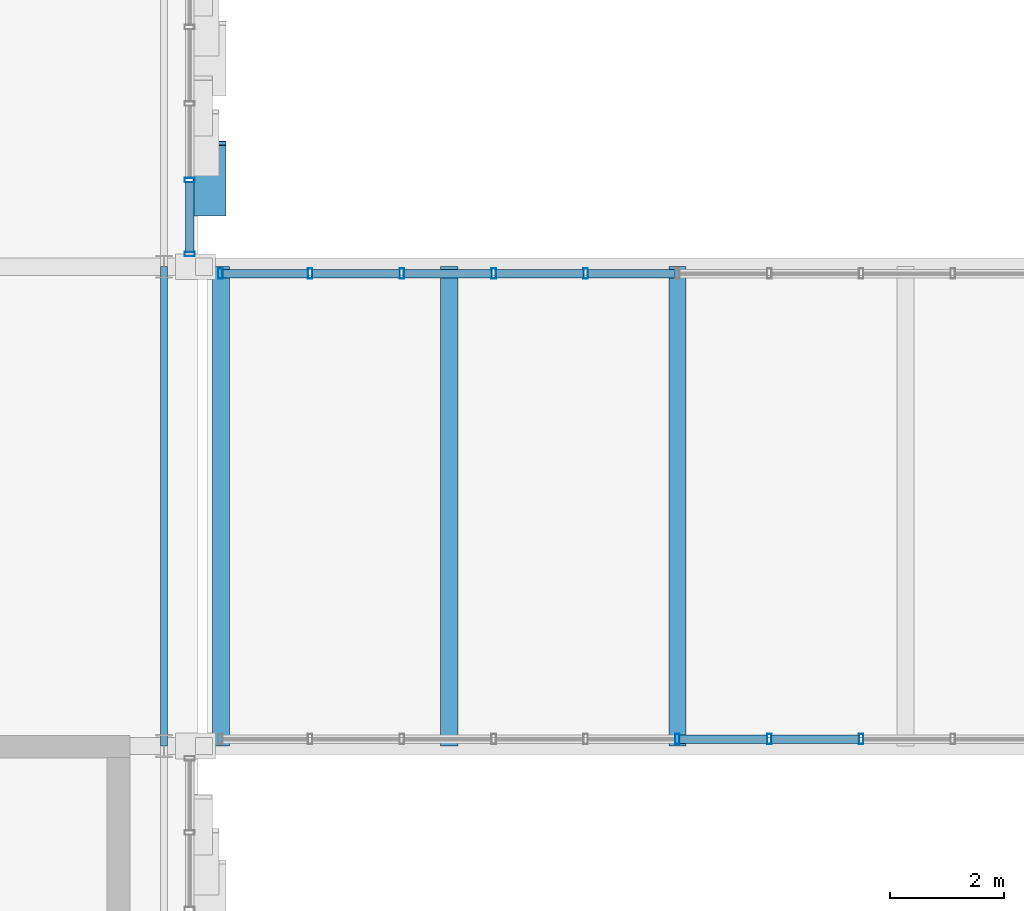
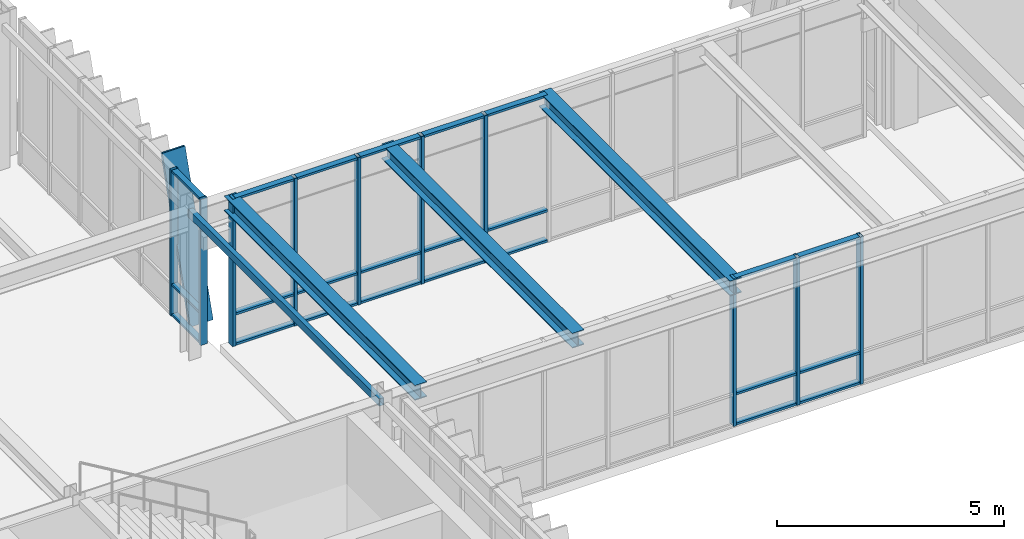
# One storey, part 56 of 127: 35 members, 4 beams, 3 elements without a shape of their own.
"""IFC4 building model written with IfcOpenShell, lengths in metres."""

from ifc_helpers import new_model, si_unit, direction, frame, origin, origin_2d, place, context, subcontext, project, spatial, hollow_rectangle, i_section, extrude, material, layer, layer_set, material_profile, profile_set, type_object, element, aggregate, save


model = new_model("IFC4")

# Units and contexts
model_context = context("Model", 3, precision=1e-05, world=origin(), true_north=direction((0.0, 1.0)))
body_context = subcontext(model_context, "Body", "Model", "MODEL_VIEW")
ifc_project = project(units=[si_unit("LENGTHUNIT", "METRE"), si_unit("AREAUNIT", "SQUARE_METRE"), si_unit("VOLUMEUNIT", "CUBIC_METRE"), si_unit("PLANEANGLEUNIT", "RADIAN"), si_unit("MASSUNIT", "GRAM", prefix="KILO")], contexts=[model_context])

# Site, building, storey
site_placement = place(None, origin())
site = spatial("IfcSite", under=ifc_project, at=site_placement, CompositionType="ELEMENT")
building_placement = place(site_placement, origin())
building = spatial("IfcBuilding", under=site, at=building_placement, Name="Zayran Congress Hotel", CompositionType="ELEMENT")
storey_placement = place(building_placement, frame((0.0, 0.0, 10.800048828125)))
storey = spatial("IfcBuildingStorey", under=building, at=storey_placement, Name="L02", CompositionType="ELEMENT", Elevation=10.800048828125)

# Beams
ifc_material_1 = material(Name="Steel S355", Category="steel")
ifc_material_profile_1 = material_profile(ifc_material_1, i_section(OverallWidth=0.300048828125, OverallDepth=0.39990234375, WebThickness=0.013427734375, FlangeThickness=0.02392578125, at=origin_2d()), Name="HEB 400")
ifc_profile_set_1 = profile_set([ifc_material_profile_1], Name="Steel S355")
beam_type_1 = type_object("IfcBeamType", Name="TP-BM-10", PredefinedType="BEAM", material=ifc_profile_set_1)
for number, where, z_axis, x_axis, name in (
    (1, (92.800048828125, 76.0, 3.760009765625), (0.0, 1.0, 0.0), (-1.0, 0.0, 0.0), "BM-BR1C-L02-2417"),
    (2, (96.800048828125, 76.0, 3.760009765625), (0.0, 1.0, 0.0), (-1.0, 0.0, 0.0), "BM-BR1C-L02-2418"),
    (3, (100.800048828125, 76.0, 3.760009765625), (0.0, 1.0, 0.0), (-1.0, 0.0, 0.0), "BM-BR1C-L02-2419"),
):
    element("IfcBeam", number, at=place(storey_placement, frame(where, z_axis=z_axis, x_axis=x_axis)), inside=storey, type_object=beam_type_1, Name=name, PredefinedType="BEAM", context=body_context, shape_type="SweptSolid", body=[
        extrude(i_section(OverallWidth=0.300048828125, OverallDepth=0.39990234375, WebThickness=0.013427734375, FlangeThickness=0.02392578125, at=origin_2d()), origin(), (0.0, 0.0, 1.0), 8.39990234375),
    ])
ifc_material_profile_2 = material_profile(ifc_material_1, hollow_rectangle(XDim=0.1201171875, YDim=0.199951171875, WallThickness=0.008056640625, at=origin_2d()), Name="RHS 200x120x8")
ifc_profile_set_2 = profile_set([ifc_material_profile_2], Name="Steel S355")
beam_type_2 = type_object("IfcBeamType", Name="TP-SP-02", PredefinedType="SPANDREL", material=ifc_profile_set_2)
beam_placement = place(storey_placement, frame((91.800048828125, 76.0, 3.820068359375), z_axis=(0.0, 1.0, 0.0), x_axis=(-1.0, 0.0, 0.0)))
element("IfcBeam", 4, at=beam_placement, inside=storey, type_object=beam_type_2, Name="BM-V1-L02-0752", PredefinedType="SPANDREL", context=body_context, shape_type="SweptSolid", body=[
    extrude(hollow_rectangle(XDim=0.1201171875, YDim=0.199951171875, WallThickness=0.008056640625, at=origin_2d()), origin(), (0.0, 0.0, 1.0), 8.39990234375),
])

# Curtain wall, members
ifc_material_2 = material(Name="Anodised aluminium and low-E insulated glass", Category="aluminium")
ifc_layer_1 = layer(ifc_material_2, 0.179931640625)
ifc_layer_set_1 = layer_set([ifc_layer_1], Name="Anodised aluminium and low-E insulated glass")
curtain_wall_type_1 = type_object("IfcCurtainWallType", Name="CW-V1E-L02-CW-41-8040-3920", PredefinedType="USERDEFINED", material=ifc_layer_set_1)
curtain_wall_1_placement = place(storey_placement, origin())
curtain_wall_1 = element("IfcCurtainWall", 5, at=curtain_wall_1_placement, inside=storey, type_object=curtain_wall_type_1, Name="CW-V1E-L02-2", ObjectType="CURTAIN WALL", PredefinedType="USERDEFINED")
ifc_material_3 = material(Name="Anodised aluminium framing", Category="aluminium")
ifc_material_profile_3 = material_profile(ifc_material_3, hollow_rectangle(XDim=0.080078125, YDim=0.179931640625, WallThickness=0.0048828125, at=origin_2d()), Name="RHS 180x80x5")
ifc_profile_set_3 = profile_set([ifc_material_profile_3], Name="Anodised aluminium framing")
member_type_1 = type_object("IfcMemberType", Name="TP-CWM-01", PredefinedType="MULLION", material=ifc_profile_set_3)
member_1_placement = place(storey_placement, frame((92.25, 84.6201171875, 0.0), z_axis=(0.0, 0.0, 1.0), x_axis=(0.0, 1.0, 0.0)))
member_1 = element("IfcMember", 6, at=member_1_placement, type_object=member_type_1, Name="CW-V1E-L02-2-M00", PredefinedType="MULLION", context=body_context, shape_type="SweptSolid", body=[
    extrude(hollow_rectangle(XDim=0.080078125, YDim=0.179931640625, WallThickness=0.0048828125, at=origin_2d()), origin(), (0.0, 0.0, 1.0), 3.919921875),
])
member_2_placement = place(storey_placement, frame((92.25, 85.919921875, 0.0), z_axis=(0.0, 0.0, 1.0), x_axis=(0.0, 1.0, 0.0)))
member_2 = element("IfcMember", 7, at=member_2_placement, type_object=member_type_1, Name="CW-V1E-L02-2-M01", PredefinedType="MULLION", context=body_context, shape_type="SweptSolid", body=[
    extrude(hollow_rectangle(XDim=0.080078125, YDim=0.179931640625, WallThickness=0.0048828125, at=origin_2d()), origin(), (0.0, 0.0, 1.0), 3.919921875),
])

ifc_layer_2 = layer(ifc_material_2, 0.179931640625)
ifc_layer_set_2 = layer_set([ifc_layer_2], Name="Anodised aluminium and low-E insulated glass")
curtain_wall_type_2 = type_object("IfcCurtainWallType", Name="CW-BR1-L02-CW-BR1-16100-3960", PredefinedType="USERDEFINED", material=ifc_layer_set_2)
curtain_wall_2_placement = place(storey_placement, origin())
curtain_wall_2 = element("IfcCurtainWall", 8, at=curtain_wall_2_placement, inside=storey, type_object=curtain_wall_type_2, Name="CW-BR1S-L02", ObjectType="CURTAIN WALL", PredefinedType="USERDEFINED")
member_3_placement = place(storey_placement, frame((100.800048828125, 76.1201171875, 0.0), z_axis=(0.0, 0.0, 1.0), x_axis=(1.0, 0.0, 0.0)))
member_3 = element("IfcMember", 9, at=member_3_placement, type_object=member_type_1, Name="CW-BR1S-L02-M05", PredefinedType="MULLION", context=body_context, shape_type="SweptSolid", body=[
    extrude(hollow_rectangle(XDim=0.080078125, YDim=0.179931640625, WallThickness=0.0048828125, at=origin_2d()), origin(), (0.0, 0.0, 1.0), 3.9599609375),
])
member_4_placement = place(storey_placement, frame((102.409912109375, 76.1201171875, 0.0), z_axis=(0.0, 0.0, 1.0), x_axis=(1.0, 0.0, 0.0)))
member_4 = element("IfcMember", 10, at=member_4_placement, type_object=member_type_1, Name="CW-BR1S-L02-M06", PredefinedType="MULLION", context=body_context, shape_type="SweptSolid", body=[
    extrude(hollow_rectangle(XDim=0.080078125, YDim=0.179931640625, WallThickness=0.0048828125, at=origin_2d()), origin(), (0.0, 0.0, 1.0), 3.9599609375),
])
member_5_placement = place(storey_placement, frame((104.02001953125, 76.1201171875, 0.0), z_axis=(0.0, 0.0, 1.0), x_axis=(1.0, 0.0, 0.0)))
member_5 = element("IfcMember", 11, at=member_5_placement, type_object=member_type_1, Name="CW-BR1S-L02-M07", PredefinedType="MULLION", context=body_context, shape_type="SweptSolid", body=[
    extrude(hollow_rectangle(XDim=0.080078125, YDim=0.179931640625, WallThickness=0.0048828125, at=origin_2d()), origin(), (0.0, 0.0, 1.0), 3.9599609375),
])

curtain_wall_3_placement = place(storey_placement, origin())
curtain_wall_3 = element("IfcCurtainWall", 12, at=curtain_wall_3_placement, inside=storey, type_object=curtain_wall_type_2, Name="CW-BR1N-L02", ObjectType="CURTAIN WALL", PredefinedType="USERDEFINED")
member_6_placement = place(storey_placement, frame((99.18994140625, 84.280029296875, 0.0), z_axis=(0.0, 0.0, 1.0), x_axis=(1.0, 0.0, 0.0)))
member_6 = element("IfcMember", 13, at=member_6_placement, type_object=member_type_1, Name="CW-BR1N-L02-M06", PredefinedType="MULLION", context=body_context, shape_type="SweptSolid", body=[
    extrude(hollow_rectangle(XDim=0.080078125, YDim=0.179931640625, WallThickness=0.0048828125, at=origin_2d()), origin(), (0.0, 0.0, 1.0), 3.9599609375),
])
member_7_placement = place(storey_placement, frame((97.580078125, 84.280029296875, 0.0), z_axis=(0.0, 0.0, 1.0), x_axis=(1.0, 0.0, 0.0)))
member_7 = element("IfcMember", 14, at=member_7_placement, type_object=member_type_1, Name="CW-BR1N-L02-M07", PredefinedType="MULLION", context=body_context, shape_type="SweptSolid", body=[
    extrude(hollow_rectangle(XDim=0.080078125, YDim=0.179931640625, WallThickness=0.0048828125, at=origin_2d()), origin(), (0.0, 0.0, 1.0), 3.9599609375),
])
member_8_placement = place(storey_placement, frame((95.969970703125, 84.280029296875, 0.0), z_axis=(0.0, 0.0, 1.0), x_axis=(1.0, 0.0, 0.0)))
member_8 = element("IfcMember", 15, at=member_8_placement, type_object=member_type_1, Name="CW-BR1N-L02-M08", PredefinedType="MULLION", context=body_context, shape_type="SweptSolid", body=[
    extrude(hollow_rectangle(XDim=0.080078125, YDim=0.179931640625, WallThickness=0.0048828125, at=origin_2d()), origin(), (0.0, 0.0, 1.0), 3.9599609375),
])
member_9_placement = place(storey_placement, frame((94.360107421875, 84.280029296875, 0.0), z_axis=(0.0, 0.0, 1.0), x_axis=(1.0, 0.0, 0.0)))
member_9 = element("IfcMember", 16, at=member_9_placement, type_object=member_type_1, Name="CW-BR1N-L02-M09", PredefinedType="MULLION", context=body_context, shape_type="SweptSolid", body=[
    extrude(hollow_rectangle(XDim=0.080078125, YDim=0.179931640625, WallThickness=0.0048828125, at=origin_2d()), origin(), (0.0, 0.0, 1.0), 3.9599609375),
])
member_10_placement = place(storey_placement, frame((92.7900390625, 84.280029296875, 0.0), z_axis=(0.0, 0.0, 1.0), x_axis=(1.0, 0.0, 0.0)))
member_10 = element("IfcMember", 17, at=member_10_placement, type_object=member_type_1, Name="CW-BR1N-L02-M10", PredefinedType="MULLION", context=body_context, shape_type="SweptSolid", body=[
    extrude(hollow_rectangle(XDim=0.080078125, YDim=0.179931640625, WallThickness=0.0048828125, at=origin_2d()), origin(), (0.0, 0.0, 1.0), 3.9599609375),
])

# Member
ifc_material_profile_4 = material_profile(ifc_material_3, hollow_rectangle(XDim=0.06005859375, YDim=0.14990234375, WallThickness=0.00390625, at=origin_2d()), Name="RHS 150x60x4")
ifc_profile_set_4 = profile_set([ifc_material_profile_4], Name="Anodised aluminium framing")
member_type_2 = type_object("IfcMemberType", Name="TP-CWT-01", PredefinedType="USERDEFINED", material=ifc_profile_set_4)
member_11_placement = place(storey_placement, frame((92.25, 84.659912109375, 0.030029296875), z_axis=(0.0, 1.0, 0.0), x_axis=(0.0, 0.0, 1.0)))
member_11 = element("IfcMember", 18, at=member_11_placement, type_object=member_type_2, Name="CW-V1E-L02-2-T00-0", ObjectType="TRANSOM", PredefinedType="USERDEFINED", context=body_context, shape_type="SweptSolid", body=[
    extrude(hollow_rectangle(XDim=0.06005859375, YDim=0.14990234375, WallThickness=0.00390625, at=origin_2d()), origin(), (0.0, 0.0, 1.0), 1.219970703125),
])

member_12_placement = place(storey_placement, frame((92.25, 84.659912109375, 0.83984375), z_axis=(0.0, 1.0, 0.0), x_axis=(0.0, 0.0, 1.0)))
member_12 = element("IfcMember", 19, at=member_12_placement, type_object=member_type_2, Name="CW-V1E-L02-2-T00-1", ObjectType="TRANSOM", PredefinedType="USERDEFINED", context=body_context, shape_type="SweptSolid", body=[
    extrude(hollow_rectangle(XDim=0.06005859375, YDim=0.14990234375, WallThickness=0.00390625, at=origin_2d()), origin(), (0.0, 0.0, 1.0), 1.219970703125),
])

member_13_placement = place(storey_placement, frame((92.25, 84.659912109375, 3.889892578125), z_axis=(0.0, 1.0, 0.0), x_axis=(0.0, 0.0, 1.0)))
member_13 = element("IfcMember", 20, at=member_13_placement, type_object=member_type_2, Name="CW-V1E-L02-2-T00-2", ObjectType="TRANSOM", PredefinedType="USERDEFINED", context=body_context, shape_type="SweptSolid", body=[
    extrude(hollow_rectangle(XDim=0.06005859375, YDim=0.14990234375, WallThickness=0.00390625, at=origin_2d()), origin(), (0.0, 0.0, 1.0), 1.219970703125),
])

member_14_placement = place(storey_placement, frame((100.840087890625, 76.1201171875, 0.030029296875), z_axis=(1.0, 0.0, 0.0), x_axis=(0.0, 0.0, 1.0)))
member_14 = element("IfcMember", 21, at=member_14_placement, type_object=member_type_2, Name="CW-BR1S-L02-T05-0", ObjectType="TRANSOM", PredefinedType="USERDEFINED", context=body_context, shape_type="SweptSolid", body=[
    extrude(hollow_rectangle(XDim=0.06005859375, YDim=0.14990234375, WallThickness=0.00390625, at=origin_2d()), origin(), (0.0, 0.0, 1.0), 1.530029296875),
])

member_15_placement = place(storey_placement, frame((100.840087890625, 76.1201171875, 0.83984375), z_axis=(1.0, 0.0, 0.0), x_axis=(0.0, 0.0, 1.0)))
member_15 = element("IfcMember", 22, at=member_15_placement, type_object=member_type_2, Name="CW-BR1S-L02-T05-1", ObjectType="TRANSOM", PredefinedType="USERDEFINED", context=body_context, shape_type="SweptSolid", body=[
    extrude(hollow_rectangle(XDim=0.06005859375, YDim=0.14990234375, WallThickness=0.00390625, at=origin_2d()), origin(), (0.0, 0.0, 1.0), 1.530029296875),
])

member_16_placement = place(storey_placement, frame((100.840087890625, 76.1201171875, 3.929931640625), z_axis=(1.0, 0.0, 0.0), x_axis=(0.0, 0.0, 1.0)))
member_16 = element("IfcMember", 23, at=member_16_placement, type_object=member_type_2, Name="CW-BR1S-L02-T05-2", ObjectType="TRANSOM", PredefinedType="USERDEFINED", context=body_context, shape_type="SweptSolid", body=[
    extrude(hollow_rectangle(XDim=0.06005859375, YDim=0.14990234375, WallThickness=0.00390625, at=origin_2d()), origin(), (0.0, 0.0, 1.0), 1.530029296875),
])

member_17_placement = place(storey_placement, frame((102.449951171875, 76.1201171875, 0.030029296875), z_axis=(1.0, 0.0, 0.0), x_axis=(0.0, 0.0, 1.0)))
member_17 = element("IfcMember", 24, at=member_17_placement, type_object=member_type_2, Name="CW-BR1S-L02-T06-0", ObjectType="TRANSOM", PredefinedType="USERDEFINED", context=body_context, shape_type="SweptSolid", body=[
    extrude(hollow_rectangle(XDim=0.06005859375, YDim=0.14990234375, WallThickness=0.00390625, at=origin_2d()), origin(), (0.0, 0.0, 1.0), 1.530029296875),
])

member_18_placement = place(storey_placement, frame((102.449951171875, 76.1201171875, 0.83984375), z_axis=(1.0, 0.0, 0.0), x_axis=(0.0, 0.0, 1.0)))
member_18 = element("IfcMember", 25, at=member_18_placement, type_object=member_type_2, Name="CW-BR1S-L02-T06-1", ObjectType="TRANSOM", PredefinedType="USERDEFINED", context=body_context, shape_type="SweptSolid", body=[
    extrude(hollow_rectangle(XDim=0.06005859375, YDim=0.14990234375, WallThickness=0.00390625, at=origin_2d()), origin(), (0.0, 0.0, 1.0), 1.530029296875),
])

member_19_placement = place(storey_placement, frame((102.449951171875, 76.1201171875, 3.929931640625), z_axis=(1.0, 0.0, 0.0), x_axis=(0.0, 0.0, 1.0)))
member_19 = element("IfcMember", 26, at=member_19_placement, type_object=member_type_2, Name="CW-BR1S-L02-T06-2", ObjectType="TRANSOM", PredefinedType="USERDEFINED", context=body_context, shape_type="SweptSolid", body=[
    extrude(hollow_rectangle(XDim=0.06005859375, YDim=0.14990234375, WallThickness=0.00390625, at=origin_2d()), origin(), (0.0, 0.0, 1.0), 1.530029296875),
])

aggregate(curtain_wall_2, [member_3, member_4, member_5, member_14, member_15, member_16, member_17, member_18, member_19])

member_20_placement = place(storey_placement, frame((100.760009765625, 84.280029296875, 0.030029296875), z_axis=(-1.0, 0.0, 0.0), x_axis=(0.0, 0.0, 1.0)))
member_20 = element("IfcMember", 27, at=member_20_placement, type_object=member_type_2, Name="CW-BR1N-L02-T05-0", ObjectType="TRANSOM", PredefinedType="USERDEFINED", context=body_context, shape_type="SweptSolid", body=[
    extrude(hollow_rectangle(XDim=0.06005859375, YDim=0.14990234375, WallThickness=0.00390625, at=origin_2d()), origin(), (0.0, 0.0, 1.0), 1.530029296875),
])

member_21_placement = place(storey_placement, frame((100.760009765625, 84.280029296875, 0.83984375), z_axis=(-1.0, 0.0, 0.0), x_axis=(0.0, 0.0, 1.0)))
member_21 = element("IfcMember", 28, at=member_21_placement, type_object=member_type_2, Name="CW-BR1N-L02-T05-1", ObjectType="TRANSOM", PredefinedType="USERDEFINED", context=body_context, shape_type="SweptSolid", body=[
    extrude(hollow_rectangle(XDim=0.06005859375, YDim=0.14990234375, WallThickness=0.00390625, at=origin_2d()), origin(), (0.0, 0.0, 1.0), 1.530029296875),
])

member_22_placement = place(storey_placement, frame((100.760009765625, 84.280029296875, 3.929931640625), z_axis=(-1.0, 0.0, 0.0), x_axis=(0.0, 0.0, 1.0)))
member_22 = element("IfcMember", 29, at=member_22_placement, type_object=member_type_2, Name="CW-BR1N-L02-T05-2", ObjectType="TRANSOM", PredefinedType="USERDEFINED", context=body_context, shape_type="SweptSolid", body=[
    extrude(hollow_rectangle(XDim=0.06005859375, YDim=0.14990234375, WallThickness=0.00390625, at=origin_2d()), origin(), (0.0, 0.0, 1.0), 1.530029296875),
])

member_23_placement = place(storey_placement, frame((99.14990234375, 84.280029296875, 0.030029296875), z_axis=(-1.0, 0.0, 0.0), x_axis=(0.0, 0.0, 1.0)))
member_23 = element("IfcMember", 30, at=member_23_placement, type_object=member_type_2, Name="CW-BR1N-L02-T06-0", ObjectType="TRANSOM", PredefinedType="USERDEFINED", context=body_context, shape_type="SweptSolid", body=[
    extrude(hollow_rectangle(XDim=0.06005859375, YDim=0.14990234375, WallThickness=0.00390625, at=origin_2d()), origin(), (0.0, 0.0, 1.0), 1.52978515625),
])

member_24_placement = place(storey_placement, frame((99.14990234375, 84.280029296875, 0.83984375), z_axis=(-1.0, 0.0, 0.0), x_axis=(0.0, 0.0, 1.0)))
member_24 = element("IfcMember", 31, at=member_24_placement, type_object=member_type_2, Name="CW-BR1N-L02-T06-1", ObjectType="TRANSOM", PredefinedType="USERDEFINED", context=body_context, shape_type="SweptSolid", body=[
    extrude(hollow_rectangle(XDim=0.06005859375, YDim=0.14990234375, WallThickness=0.00390625, at=origin_2d()), origin(), (0.0, 0.0, 1.0), 1.52978515625),
])

member_25_placement = place(storey_placement, frame((99.14990234375, 84.280029296875, 3.929931640625), z_axis=(-1.0, 0.0, 0.0), x_axis=(0.0, 0.0, 1.0)))
member_25 = element("IfcMember", 32, at=member_25_placement, type_object=member_type_2, Name="CW-BR1N-L02-T06-2", ObjectType="TRANSOM", PredefinedType="USERDEFINED", context=body_context, shape_type="SweptSolid", body=[
    extrude(hollow_rectangle(XDim=0.06005859375, YDim=0.14990234375, WallThickness=0.00390625, at=origin_2d()), origin(), (0.0, 0.0, 1.0), 1.52978515625),
])

member_26_placement = place(storey_placement, frame((97.5400390625, 84.280029296875, 0.030029296875), z_axis=(-1.0, 0.0, 0.0), x_axis=(0.0, 0.0, 1.0)))
member_26 = element("IfcMember", 33, at=member_26_placement, type_object=member_type_2, Name="CW-BR1N-L02-T07-0", ObjectType="TRANSOM", PredefinedType="USERDEFINED", context=body_context, shape_type="SweptSolid", body=[
    extrude(hollow_rectangle(XDim=0.06005859375, YDim=0.14990234375, WallThickness=0.00390625, at=origin_2d()), origin(), (0.0, 0.0, 1.0), 1.530029296875),
])

member_27_placement = place(storey_placement, frame((97.5400390625, 84.280029296875, 0.83984375), z_axis=(-1.0, 0.0, 0.0), x_axis=(0.0, 0.0, 1.0)))
member_27 = element("IfcMember", 34, at=member_27_placement, type_object=member_type_2, Name="CW-BR1N-L02-T07-1", ObjectType="TRANSOM", PredefinedType="USERDEFINED", context=body_context, shape_type="SweptSolid", body=[
    extrude(hollow_rectangle(XDim=0.06005859375, YDim=0.14990234375, WallThickness=0.00390625, at=origin_2d()), origin(), (0.0, 0.0, 1.0), 1.530029296875),
])

member_28_placement = place(storey_placement, frame((97.5400390625, 84.280029296875, 3.929931640625), z_axis=(-1.0, 0.0, 0.0), x_axis=(0.0, 0.0, 1.0)))
member_28 = element("IfcMember", 35, at=member_28_placement, type_object=member_type_2, Name="CW-BR1N-L02-T07-2", ObjectType="TRANSOM", PredefinedType="USERDEFINED", context=body_context, shape_type="SweptSolid", body=[
    extrude(hollow_rectangle(XDim=0.06005859375, YDim=0.14990234375, WallThickness=0.00390625, at=origin_2d()), origin(), (0.0, 0.0, 1.0), 1.530029296875),
])

member_29_placement = place(storey_placement, frame((95.929931640625, 84.280029296875, 0.030029296875), z_axis=(-1.0, 0.0, 0.0), x_axis=(0.0, 0.0, 1.0)))
member_29 = element("IfcMember", 36, at=member_29_placement, type_object=member_type_2, Name="CW-BR1N-L02-T08-0", ObjectType="TRANSOM", PredefinedType="USERDEFINED", context=body_context, shape_type="SweptSolid", body=[
    extrude(hollow_rectangle(XDim=0.06005859375, YDim=0.14990234375, WallThickness=0.00390625, at=origin_2d()), origin(), (0.0, 0.0, 1.0), 1.530029296875),
])

member_30_placement = place(storey_placement, frame((95.929931640625, 84.280029296875, 0.83984375), z_axis=(-1.0, 0.0, 0.0), x_axis=(0.0, 0.0, 1.0)))
member_30 = element("IfcMember", 37, at=member_30_placement, type_object=member_type_2, Name="CW-BR1N-L02-T08-1", ObjectType="TRANSOM", PredefinedType="USERDEFINED", context=body_context, shape_type="SweptSolid", body=[
    extrude(hollow_rectangle(XDim=0.06005859375, YDim=0.14990234375, WallThickness=0.00390625, at=origin_2d()), origin(), (0.0, 0.0, 1.0), 1.530029296875),
])

member_31_placement = place(storey_placement, frame((95.929931640625, 84.280029296875, 3.929931640625), z_axis=(-1.0, 0.0, 0.0), x_axis=(0.0, 0.0, 1.0)))
member_31 = element("IfcMember", 38, at=member_31_placement, type_object=member_type_2, Name="CW-BR1N-L02-T08-2", ObjectType="TRANSOM", PredefinedType="USERDEFINED", context=body_context, shape_type="SweptSolid", body=[
    extrude(hollow_rectangle(XDim=0.06005859375, YDim=0.14990234375, WallThickness=0.00390625, at=origin_2d()), origin(), (0.0, 0.0, 1.0), 1.530029296875),
])

member_32_placement = place(storey_placement, frame((94.320068359375, 84.280029296875, 0.030029296875), z_axis=(-1.0, 0.0, 0.0), x_axis=(0.0, 0.0, 1.0)))
member_32 = element("IfcMember", 39, at=member_32_placement, type_object=member_type_2, Name="CW-BR1N-L02-T09-0", ObjectType="TRANSOM", PredefinedType="USERDEFINED", context=body_context, shape_type="SweptSolid", body=[
    extrude(hollow_rectangle(XDim=0.06005859375, YDim=0.14990234375, WallThickness=0.00390625, at=origin_2d()), origin(), (0.0, 0.0, 1.0), 1.489990234375),
])

member_33_placement = place(storey_placement, frame((94.320068359375, 84.280029296875, 0.83984375), z_axis=(-1.0, 0.0, 0.0), x_axis=(0.0, 0.0, 1.0)))
member_33 = element("IfcMember", 40, at=member_33_placement, type_object=member_type_2, Name="CW-BR1N-L02-T09-1", ObjectType="TRANSOM", PredefinedType="USERDEFINED", context=body_context, shape_type="SweptSolid", body=[
    extrude(hollow_rectangle(XDim=0.06005859375, YDim=0.14990234375, WallThickness=0.00390625, at=origin_2d()), origin(), (0.0, 0.0, 1.0), 1.489990234375),
])

member_34_placement = place(storey_placement, frame((94.320068359375, 84.280029296875, 3.929931640625), z_axis=(-1.0, 0.0, 0.0), x_axis=(0.0, 0.0, 1.0)))
member_34 = element("IfcMember", 41, at=member_34_placement, type_object=member_type_2, Name="CW-BR1N-L02-T09-2", ObjectType="TRANSOM", PredefinedType="USERDEFINED", context=body_context, shape_type="SweptSolid", body=[
    extrude(hollow_rectangle(XDim=0.06005859375, YDim=0.14990234375, WallThickness=0.00390625, at=origin_2d()), origin(), (0.0, 0.0, 1.0), 1.489990234375),
])

aggregate(curtain_wall_3, [member_6, member_7, member_8, member_9, member_10, member_20, member_21, member_22, member_23, member_24, member_25, member_26, member_27, member_28, member_29, member_30, member_31, member_32, member_33, member_34])

ifc_material_4 = material(Name="Warm bronze anodised aluminium", Category="aluminium")
ifc_material_profile_5 = material_profile(ifc_material_4, hollow_rectangle(XDim=0.080078125, YDim=0.580078125, WallThickness=0.006103515625, at=origin_2d()), Name="RHS 580x80x6")
ifc_profile_set_5 = profile_set([ifc_material_profile_5], Name="Warm bronze anodised aluminium")
member_type_3 = type_object("IfcMemberType", Name="TP-RFN-01", PredefinedType="MULLION", material=ifc_profile_set_5)
member_35_placement = place(storey_placement, frame((92.60009765625, 85.330078125, 0.0), z_axis=(0.0, 0.30068216973, 0.953724400866), x_axis=(0.0, -0.953724400866, 0.30068216973)))
member_35 = element("IfcMember", 42, at=member_35_placement, type_object=member_type_3, Name="Slanting Reed Mullion CW-41-01", PredefinedType="MULLION", context=body_context, shape_type="SweptSolid", body=[
    extrude(hollow_rectangle(XDim=0.080078125, YDim=0.580078125, WallThickness=0.006103515625, at=origin_2d()), origin(), (0.0, 0.0, 1.0), 4.110107421875),
])

aggregate(curtain_wall_1, [member_1, member_2, member_11, member_12, member_13, member_35])

save(model, "model.ifc")
